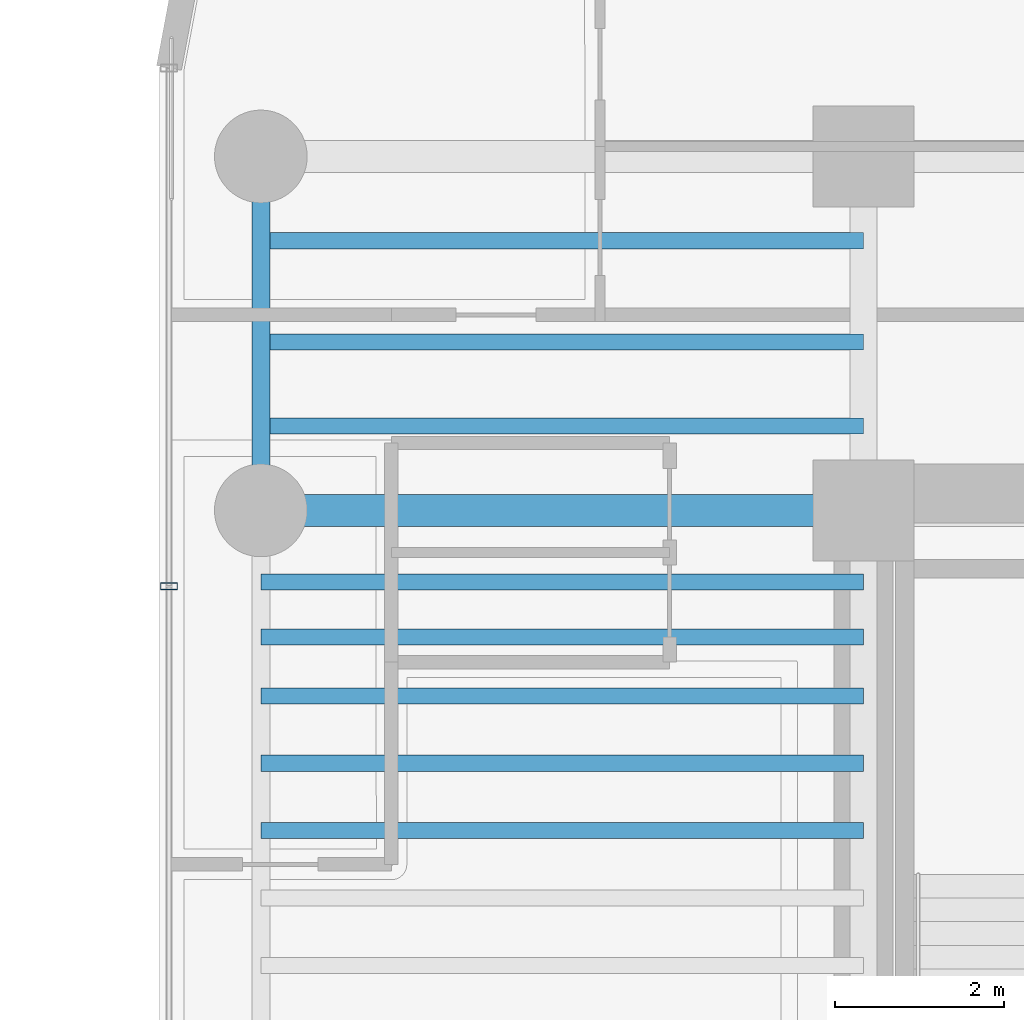
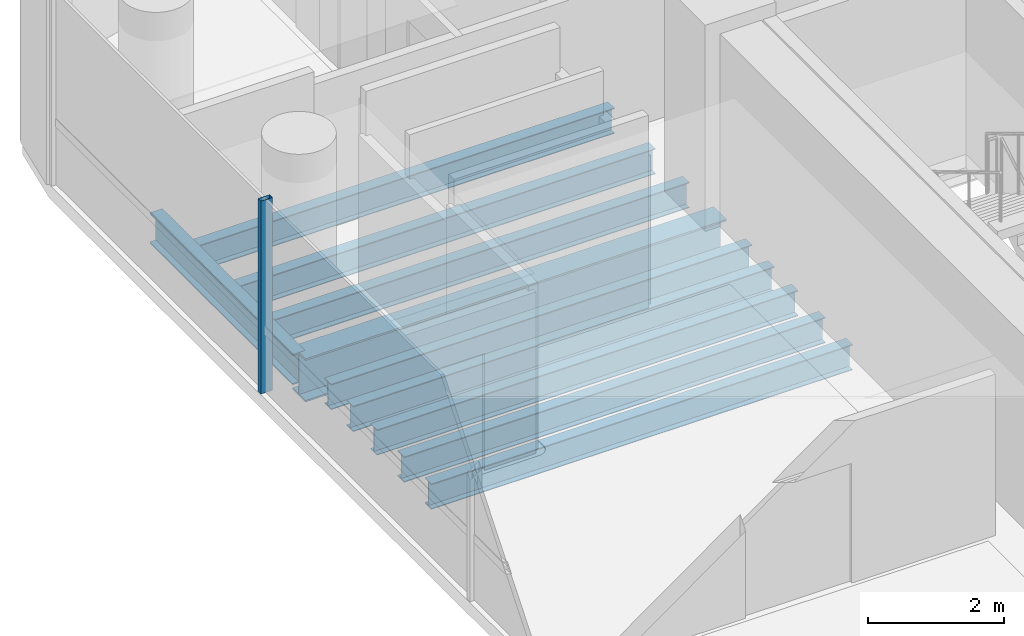
# One storey, part 9 of 37: 10 beams, 1 member, 1 element without a shape of its own.
"""IFC4 building model written with IfcOpenShell, lengths in metres."""

from ifc_helpers import new_model, si_unit, direction, frame, origin, origin_2d, place, context, subcontext, project, spatial, hollow_rectangle, i_section, extrude, source, transform, mapped, material, material_profile, profile_set, type_object, element, aggregate, save


model = new_model("IFC4")

# Units and contexts
model_context = context("Model", 3, precision=1e-05, world=origin(), true_north=direction((0.0, 1.0)))
body_context = subcontext(model_context, "Body", "Model", "MODEL_VIEW")
ifc_project = project(units=[si_unit("LENGTHUNIT", "METRE"), si_unit("AREAUNIT", "SQUARE_METRE"), si_unit("VOLUMEUNIT", "CUBIC_METRE"), si_unit("PLANEANGLEUNIT", "RADIAN"), si_unit("MASSUNIT", "GRAM", prefix="KILO")], contexts=[model_context])

# Site, building, storey
site_placement = place(None, origin())
site = spatial("IfcSite", under=ifc_project, at=site_placement, CompositionType="ELEMENT")
building_placement = place(site_placement, origin())
building = spatial("IfcBuilding", under=site, at=building_placement, Name="Valdorenza Pilgrim Sanctuary Tower", CompositionType="ELEMENT")
storey_placement = place(building_placement, frame((0.0, 0.0, 127.89990234375)))
storey = spatial("IfcBuildingStorey", under=building, at=storey_placement, Name="L32", CompositionType="ELEMENT", Elevation=127.89990234375)

# Beams
ifc_material_1 = material(Name="Steel ASTM A992 Grade 50", Category="steel")
ifc_material_profile_1 = material_profile(ifc_material_1, i_section(OverallWidth=0.214111328125, OverallDepth=0.549072265625, WebThickness=0.0146484375, FlangeThickness=0.023681640625, at=origin_2d()), Name="W21X93")
ifc_profile_set_1 = profile_set([ifc_material_profile_1], Name="Steel ASTM A992 Grade 50")
beam_type_1 = type_object("IfcBeamType", Name="STR-BM-SPN-W21A", PredefinedType="SPANDREL", material=ifc_profile_set_1)
shared_shape_1 = source(origin(), body_context, "Body", "SweptSolid", [
    extrude(i_section(OverallWidth=0.214111328125, OverallDepth=0.549072265625, WebThickness=0.0146484375, FlangeThickness=0.023681640625, at=origin_2d()), origin(), (0.0, 0.0, 1.0), 4.199951171875),
])
beam_1_placement = place(storey_placement, frame((-29.800048828125, 10.60009765625, -0.514404296875), z_axis=(0.0, 1.0, 0.0), x_axis=(-1.0, 0.0, 0.0)))
element("IfcBeam", 1, at=beam_1_placement, inside=storey, type_object=beam_type_1, Name="L32 Spandrel Beam WA-W-N1N2", PredefinedType="SPANDREL", context=body_context, shape_type="MappedRepresentation", body=[
    mapped(shared_shape_1, transform((0.0, 0.0, 0.0), x_axis=(1.0, 0.0, 0.0), y_axis=(0.0, 1.0, 0.0), z_axis=(0.0, 0.0, 1.0), scale=1.0)),
])
ifc_material_profile_2 = material_profile(ifc_material_1, i_section(OverallWidth=0.382080078125, OverallDepth=0.779052734375, WebThickness=0.01806640625, FlangeThickness=0.030029296875, at=origin_2d()), Name="W30X191")
ifc_profile_set_2 = profile_set([ifc_material_profile_2], Name="Steel ASTM A992 Grade 50")
beam_type_2 = type_object("IfcBeamType", Name="STR-BM-GRD-W30", PredefinedType="BEAM", material=ifc_profile_set_2)
shared_shape_2 = source(origin(), body_context, "Body", "SweptSolid", [
    extrude(i_section(OverallWidth=0.382080078125, OverallDepth=0.779052734375, WebThickness=0.01806640625, FlangeThickness=0.030029296875, at=origin_2d()), origin(), (0.0, 0.0, 1.0), 7.150146484375),
])
beam_2_placement = place(storey_placement, frame((-29.800048828125, 10.60009765625, -0.62939453125), z_axis=(1.0, 0.0, 0.0), x_axis=(0.0, 1.0, 0.0)))
element("IfcBeam", 2, at=beam_2_placement, inside=storey, type_object=beam_type_2, Name="L32 Floor Girder WA-XW-N1", PredefinedType="BEAM", context=body_context, shape_type="MappedRepresentation", body=[
    mapped(shared_shape_2, transform((0.0, 0.0, 0.0), x_axis=(1.0, 0.0, 0.0), y_axis=(0.0, 1.0, 0.0), z_axis=(0.0, 0.0, 1.0), scale=1.0)),
])
ifc_material_profile_3 = material_profile(ifc_material_1, i_section(OverallWidth=0.19091796875, OverallDepth=0.45703125, WebThickness=0.009033203125, FlangeThickness=0.014404296875, at=origin_2d()), Name="W18X50")
ifc_profile_set_3 = profile_set([ifc_material_profile_3], Name="Steel ASTM A992 Grade 50")
beam_type_3 = type_object("IfcBeamType", Name="STR-BM-JST-W18B", PredefinedType="JOIST", material=ifc_profile_set_3)
shared_shape_3 = source(origin(), body_context, "Body", "SweptSolid", [
    extrude(i_section(OverallWidth=0.19091796875, OverallDepth=0.45703125, WebThickness=0.009033203125, FlangeThickness=0.014404296875, at=origin_2d()), origin(), (0.0, 0.0, 1.0), 7.150146484375),
])
for number, where, z_axis, x_axis, name in (
    (3, (-29.800048828125, 6.800048828125, -0.468505859375), (1.0, 0.0, 0.0), (0.0, 1.0, 0.0), "L32 Composite Floor Joist JST-WA-19"),
    (4, (-29.800048828125, 7.60009765625, -0.468505859375), (1.0, 0.0, 0.0), (0.0, 1.0, 0.0), "L32 Composite Floor Joist JST-WA-20"),
    (5, (-29.800048828125, 8.39990234375, -0.468505859375), (1.0, 0.0, 0.0), (0.0, 1.0, 0.0), "L32 Composite Floor Joist JST-WA-21"),
    (6, (-29.800048828125, 9.10009765625, -0.468505859375), (1.0, 0.0, 0.0), (0.0, 1.0, 0.0), "L32 Composite Floor Joist JST-WA-22"),
    (7, (-29.800048828125, 9.75, -0.468505859375), (1.0, 0.0, 0.0), (0.0, 1.0, 0.0), "L32 Composite Floor Joist JST-WA-23"),
    (8, (-29.800048828125, 11.60009765625, -0.468505859375), (1.0, 0.0, 0.0), (0.0, 1.0, 0.0), "L32 Composite Floor Joist JST-WA-24"),
    (9, (-29.800048828125, 12.60009765625, -0.468505859375), (1.0, 0.0, 0.0), (0.0, 1.0, 0.0), "L32 Composite Floor Joist JST-WA-25"),
    (10, (-29.800048828125, 13.800048828125, -0.468505859375), (1.0, 0.0, 0.0), (0.0, 1.0, 0.0), "L32 Composite Floor Joist JST-WA-26"),
):
    element("IfcBeam", number, at=place(storey_placement, frame(where, z_axis=z_axis, x_axis=x_axis)), inside=storey, type_object=beam_type_3, Name=name, PredefinedType="JOIST", context=body_context, shape_type="MappedRepresentation", body=[
        mapped(shared_shape_3, transform((0.0, 0.0, 0.0), x_axis=(1.0, 0.0, 0.0), y_axis=(0.0, 1.0, 0.0), z_axis=(0.0, 0.0, 1.0), scale=1.0)),
    ])

# Curtain wall, member
ifc_material_2 = material(Name="Curtain-wall IGU glazing", Category="glass")
curtain_wall_type = type_object("IfcCurtainWallType", Name="CW-SYS-02", PredefinedType="NOTDEFINED", material=ifc_material_2)
curtain_wall_placement = place(storey_placement, origin())
curtain_wall = element("IfcCurtainWall", 11, at=curtain_wall_placement, inside=storey, type_object=curtain_wall_type, Name="L32 Curtain Wall CW-L32-1-1S2", PredefinedType="NOTDEFINED")
ifc_material_3 = material(Name="Anodised aluminium AW-6060", Category="aluminium")
ifc_material_profile_4 = material_profile(ifc_material_3, hollow_rectangle(XDim=0.0849609375, YDim=0.199951171875, WallThickness=0.0048828125, at=origin_2d()), Name="ALU-M 200x85x5")
ifc_profile_set_4 = profile_set([ifc_material_profile_4], Name="Anodised aluminium AW-6060")
member_type = type_object("IfcMemberType", Name="CW-MUL-02", PredefinedType="MULLION", material=ifc_profile_set_4)
shared_shape_4 = source(origin(), body_context, "Body", "SweptSolid", [
    extrude(hollow_rectangle(XDim=0.0849609375, YDim=0.199951171875, WallThickness=0.0048828125, at=origin_2d()), origin(), (0.0, 0.0, 1.0), 3.460205078125),
])
member_placement = place(storey_placement, frame((-30.889892578125, 9.7001953125, 0.0), z_axis=(0.0, 0.0, 1.0), x_axis=(0.0, 1.0, 0.0)))
member = element("IfcMember", 12, at=member_placement, type_object=member_type, Name="CW-L32-1-1S2 Mullion 3", PredefinedType="MULLION", context=body_context, shape_type="MappedRepresentation", body=[
    mapped(shared_shape_4, transform((0.0, 0.0, 0.0), x_axis=(1.0, 0.0, 0.0), y_axis=(0.0, 1.0, 0.0), z_axis=(0.0, 0.0, 1.0), scale=1.0)),
])
aggregate(curtain_wall, [member])

save(model, "model.ifc")
